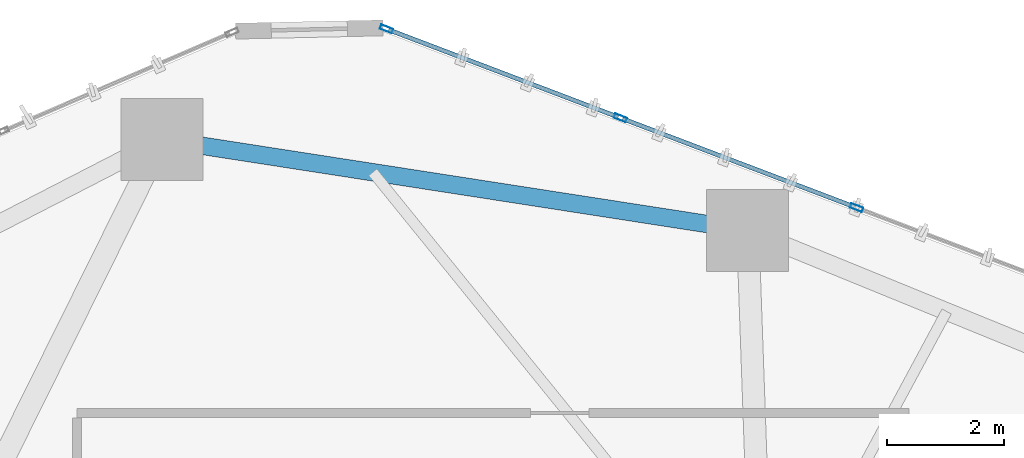
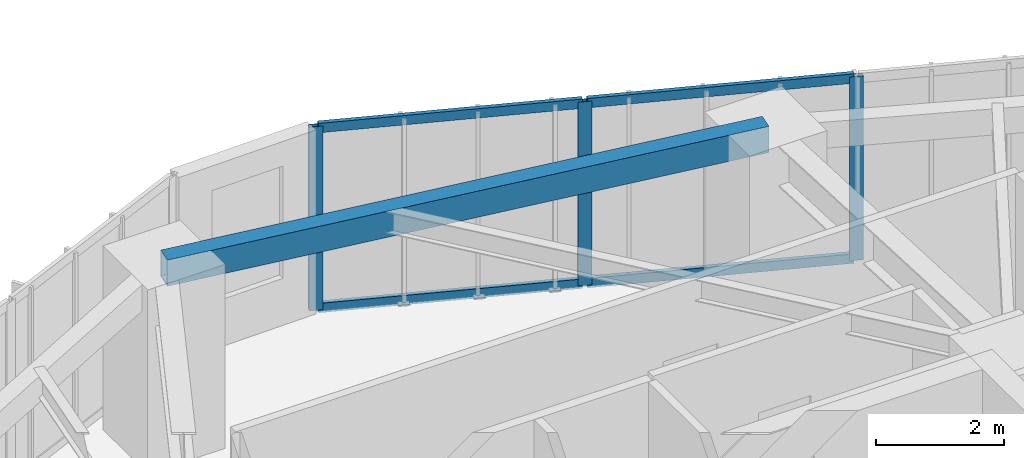
# One storey, part 15 of 23: 7 members, 1 beam, 1 element without a shape of its own.
"""IFC4 building model written with IfcOpenShell, lengths in metres."""

from ifc_helpers import new_model, si_unit, direction, frame, origin, origin_2d, place, context, subcontext, project, spatial, hollow_rectangle, extrude, source, transform, mapped, material, layer, layer_set, material_profile, profile_set, type_object, type_shapes, element, aggregate, save


model = new_model("IFC4")

# Units and contexts
model_context = context("Model", 3, precision=1e-05, world=origin(), true_north=direction((0.0, 1.0)))
body_context = subcontext(model_context, "Body", "Model", "MODEL_VIEW")
ifc_project = project(units=[si_unit("LENGTHUNIT", "METRE"), si_unit("AREAUNIT", "SQUARE_METRE"), si_unit("VOLUMEUNIT", "CUBIC_METRE"), si_unit("PLANEANGLEUNIT", "RADIAN"), si_unit("MASSUNIT", "GRAM", prefix="KILO")], contexts=[model_context])

# Site, building, storey
site_placement = place(None, origin())
site = spatial("IfcSite", under=ifc_project, at=site_placement, CompositionType="ELEMENT")
building_placement = place(site_placement, origin())
building = spatial("IfcBuilding", under=site, at=building_placement, Name="Talar Marvaseh", CompositionType="ELEMENT")
storey_placement = place(building_placement, frame((0.0, 0.0, 27.800048828125)))
storey = spatial("IfcBuildingStorey", under=building, at=storey_placement, Name="L06", CompositionType="ELEMENT", Elevation=27.800048828125)

# Beam
ifc_material_1 = material(Name="Steel S355", Category="steel")
ifc_material_profile_1 = material_profile(ifc_material_1, hollow_rectangle(XDim=0.300048828125, YDim=0.5, WallThickness=0.02001953125, at=origin_2d()), Name="RHS500x300x20")
ifc_profile_set_1 = profile_set([ifc_material_profile_1], Name="Steel S355")
beam_type = type_object("IfcBeamType", Name="Zone 1 Perimeter Spandrel Beam RHS500x300x20", PredefinedType="SPANDREL", material=ifc_profile_set_1)
beam_placement = place(storey_placement, frame((23.047119140625, 45.6669921875, 3.27001953125), z_axis=(0.988210751461, -0.153099675693, 0.0), x_axis=(0.153099675693, 0.988210751461, 0.0)))
element("IfcBeam", 1, at=beam_placement, inside=storey, type_object=beam_type, Name="L06 Zone 1 Perimeter Spandrel Beam RHS500x300x20", PredefinedType="SPANDREL", context=body_context, shape_type="SweptSolid", body=[
    extrude(hollow_rectangle(XDim=0.300048828125, YDim=0.5, WallThickness=0.02001953125, at=origin_2d()), origin(), (0.0, 0.0, 1.0), 10.1181640625),
])

# Curtain wall, members
ifc_material_2 = material(Name="Architectural Aluminium", Category="aluminium")
ifc_layer = layer(ifc_material_2, 0.219970703125)
ifc_layer_set = layer_set([ifc_layer], Name="Architectural Aluminium")
curtain_wall_type = type_object("IfcCurtainWallType", Name="Unitised Low-E Museum Curtain Wall Z1", PredefinedType="NOTDEFINED", material=ifc_layer_set)
curtain_wall_placement = place(storey_placement, origin())
curtain_wall = element("IfcCurtainWall", 2, at=curtain_wall_placement, inside=storey, type_object=curtain_wall_type, Name="L06 Unitised Low-E Museum Curtain Wall Z1", PredefinedType="NOTDEFINED")
ifc_material_profile_2 = material_profile(ifc_material_2, hollow_rectangle(XDim=0.080078125, YDim=0.219970703125, WallThickness=0.0048828125, at=origin_2d()), Name="RHS220x80x5")
ifc_profile_set_2 = profile_set([ifc_material_profile_2], Name="Architectural Aluminium")
member_type_1 = type_object("IfcMemberType", Name="Unitised Curtain Wall Heavy Mullion RHS220x80x5", PredefinedType="MULLION", material=ifc_profile_set_2)
shared_shape_1 = source(origin(), body_context, "Body", "SweptSolid", [
    extrude(hollow_rectangle(XDim=0.080078125, YDim=0.219970703125, WallThickness=0.0048828125, at=origin_2d()), origin(), (0.0, 0.0, 1.0), 3.52001953125),
])
type_shapes(member_type_1, [shared_shape_1])
member_1_placement = place(storey_placement, frame((26.88037109375, 47.5546875, 0.0), z_axis=(0.0, 0.0, 1.0), x_axis=(0.355399736252, 0.934714409578, 0.0)))
member_1 = element("IfcMember", 3, at=member_1_placement, type_object=member_type_1, Name="CW-Z1 mullion 1", PredefinedType="MULLION", context=body_context, shape_type="MappedRepresentation", body=[
    mapped(shared_shape_1, transform((0.0, 0.0, 0.0), x_axis=(1.0, 0.0, 0.0), y_axis=(0.0, 1.0, 0.0), z_axis=(0.0, 0.0, 1.0), scale=1.0)),
])
member_2_placement = place(storey_placement, frame((30.873291015625, 46.036376953125, 0.0), z_axis=(0.0, 0.0, 1.0), x_axis=(0.355399736252, 0.934714409578, 0.0)))
member_2 = element("IfcMember", 4, at=member_2_placement, type_object=member_type_1, Name="CW-Z1 mullion 2", PredefinedType="MULLION", context=body_context, shape_type="MappedRepresentation", body=[
    mapped(shared_shape_1, transform((0.0, 0.0, 0.0), x_axis=(1.0, 0.0, 0.0), y_axis=(0.0, 1.0, 0.0), z_axis=(0.0, 0.0, 1.0), scale=1.0)),
])
member_3_placement = place(storey_placement, frame((34.90380859375, 44.50390625, 0.0), z_axis=(0.0, 0.0, 1.0), x_axis=(0.355399736252, 0.934714409578, 0.0)))
member_3 = element("IfcMember", 5, at=member_3_placement, type_object=member_type_1, Name="CW-Z1 mullion 3", PredefinedType="MULLION", context=body_context, shape_type="MappedRepresentation", body=[
    mapped(shared_shape_1, transform((0.0, 0.0, 0.0), x_axis=(1.0, 0.0, 0.0), y_axis=(0.0, 1.0, 0.0), z_axis=(0.0, 0.0, 1.0), scale=1.0)),
])
ifc_material_profile_3 = material_profile(ifc_material_2, hollow_rectangle(XDim=0.074951171875, YDim=0.179931640625, WallThickness=0.0048828125, at=origin_2d()), Name="RHS180x75x5")
ifc_profile_set_3 = profile_set([ifc_material_profile_3], Name="Architectural Aluminium")
member_type_2 = type_object("IfcMemberType", Name="Unitised Curtain Wall Transom RHS180x75x5", PredefinedType="USERDEFINED", material=ifc_profile_set_3)
shared_shape_2 = source(origin(), body_context, "Body", "SweptSolid", [
    extrude(hollow_rectangle(XDim=0.074951171875, YDim=0.179931640625, WallThickness=0.0048828125, at=origin_2d()), origin(), (0.0, 0.0, 1.0), 4.19189453125),
])
member_4_placement = place(storey_placement, frame((26.917724609375, 47.540283203125, 0.037353515625), z_axis=(0.934718198271, -0.35538977169, 0.0), x_axis=(0.35538977169, 0.934718198271, 0.0)))
member_4 = element("IfcMember", 6, at=member_4_placement, type_object=member_type_2, Name="CW-Z1 transom 1.1", ObjectType="TRANSOM", PredefinedType="USERDEFINED", context=body_context, shape_type="MappedRepresentation", body=[
    mapped(shared_shape_2, transform((0.0, 0.0, 0.0), x_axis=(1.0, 0.0, 0.0), y_axis=(0.0, 1.0, 0.0), z_axis=(0.0, 0.0, 1.0), scale=1.0)),
])
member_5_placement = place(storey_placement, frame((26.917724609375, 47.540283203125, 3.482421875), z_axis=(0.934718198271, -0.35538977169, 0.0), x_axis=(0.35538977169, 0.934718198271, 0.0)))
member_5 = element("IfcMember", 7, at=member_5_placement, type_object=member_type_2, Name="CW-Z1 transom 1.2", ObjectType="TRANSOM", PredefinedType="USERDEFINED", context=body_context, shape_type="MappedRepresentation", body=[
    mapped(shared_shape_2, transform((0.0, 0.0, 0.0), x_axis=(1.0, 0.0, 0.0), y_axis=(0.0, 1.0, 0.0), z_axis=(0.0, 0.0, 1.0), scale=1.0)),
])
shared_shape_3 = source(origin(), body_context, "Body", "SweptSolid", [
    extrude(hollow_rectangle(XDim=0.074951171875, YDim=0.179931640625, WallThickness=0.0048828125, at=origin_2d()), origin(), (0.0, 0.0, 1.0), 4.23193359375),
])
type_shapes(member_type_2, [shared_shape_2, shared_shape_3])
member_6_placement = place(storey_placement, frame((30.91064453125, 46.022216796875, 0.037353515625), z_axis=(0.934702333661, -0.355431494734, 0.0), x_axis=(0.355431494734, 0.934702333661, 0.0)))
member_6 = element("IfcMember", 8, at=member_6_placement, type_object=member_type_2, Name="CW-Z1 transom 2.1", ObjectType="TRANSOM", PredefinedType="USERDEFINED", context=body_context, shape_type="MappedRepresentation", body=[
    mapped(shared_shape_3, transform((0.0, 0.0, 0.0), x_axis=(1.0, 0.0, 0.0), y_axis=(0.0, 1.0, 0.0), z_axis=(0.0, 0.0, 1.0), scale=1.0)),
])
member_7_placement = place(storey_placement, frame((30.91064453125, 46.022216796875, 3.482421875), z_axis=(0.934702333661, -0.355431494734, 0.0), x_axis=(0.355431494734, 0.934702333661, 0.0)))
member_7 = element("IfcMember", 9, at=member_7_placement, type_object=member_type_2, Name="CW-Z1 transom 2.2", ObjectType="TRANSOM", PredefinedType="USERDEFINED", context=body_context, shape_type="MappedRepresentation", body=[
    mapped(shared_shape_3, transform((0.0, 0.0, 0.0), x_axis=(1.0, 0.0, 0.0), y_axis=(0.0, 1.0, 0.0), z_axis=(0.0, 0.0, 1.0), scale=1.0)),
])
aggregate(curtain_wall, [member_1, member_2, member_3, member_4, member_5, member_6, member_7])

save(model, "model.ifc")
